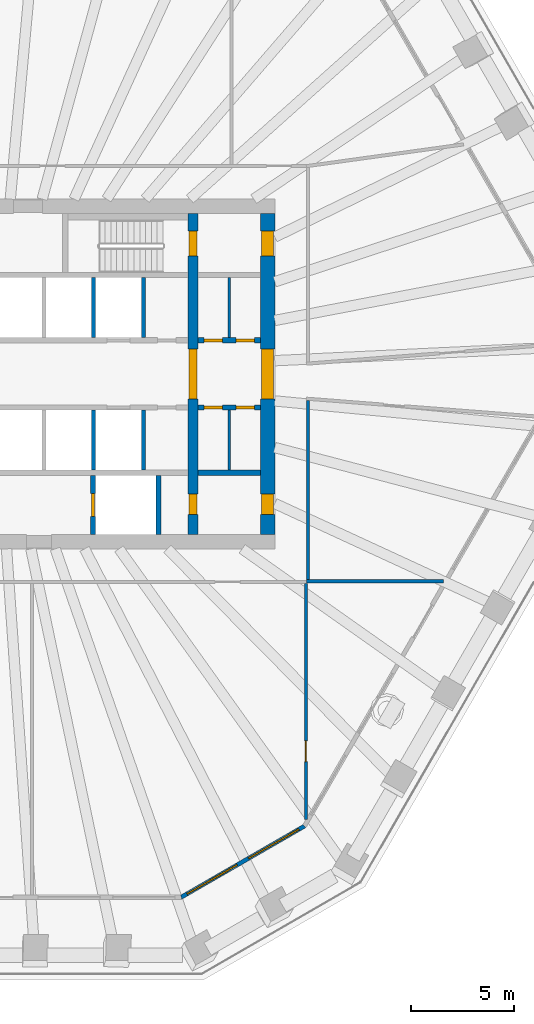
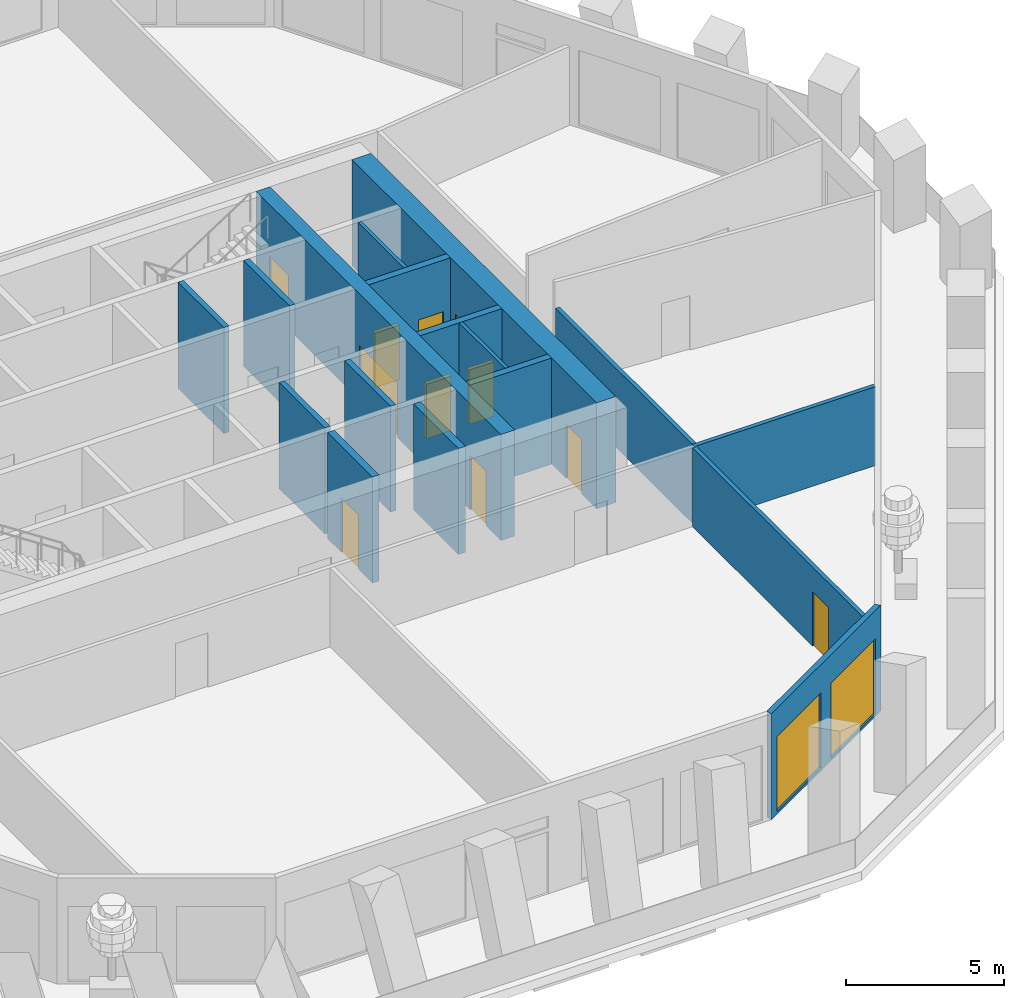
# One storey, part 5 of 11: 17 walls, 12 doors, 2 windows, 14 openings.
"""IFC4 building model written with IfcOpenShell, lengths in metres."""

from ifc_helpers import new_model, si_unit, direction, frame, frame_2d, origin, place, context, subcontext, project, spatial, polyline, rectangle, outline, extrude, material, layer, layer_set, type_object, element, fill, save


model = new_model("IFC4")

# Units and contexts
model_context = context("Model", 3, precision=1e-05, world=origin(), true_north=direction((0.0, 1.0)))
body_context = subcontext(model_context, "Body", "Model", "MODEL_VIEW")
ifc_project = project(units=[si_unit("LENGTHUNIT", "METRE"), si_unit("AREAUNIT", "SQUARE_METRE"), si_unit("VOLUMEUNIT", "CUBIC_METRE"), si_unit("PLANEANGLEUNIT", "RADIAN"), si_unit("MASSUNIT", "GRAM", prefix="KILO")], contexts=[model_context])

# Site, building, storey
site_placement = place(None, origin())
site = spatial("IfcSite", under=ifc_project, at=site_placement, CompositionType="ELEMENT")
building_placement = place(site_placement, origin())
building = spatial("IfcBuilding", under=site, at=building_placement, Name="Frailejon Research Tower", CompositionType="ELEMENT")
storey_placement = place(building_placement, frame((0.0, 0.0, 198.0)))
storey = spatial("IfcBuildingStorey", under=building, at=storey_placement, Name="L43", CompositionType="ELEMENT", Elevation=198.0)

# Walls
ifc_material_1 = material(Name="Plasterboard on steel studs", Category="steel")
ifc_layer_1 = layer(ifc_material_1, 0.125)
ifc_layer_set_1 = layer_set([ifc_layer_1], Name="Core partition 125")
wall_type_1 = type_object("IfcWallType", Name="Core partition 125", PredefinedType="PARTITIONING", material=ifc_layer_set_1)
for number, where, z_axis, x_axis, name in (
    (1, (11.35009765625, 1.75, 0.0), (0.0, 0.0, 1.0), (0.0, 1.0, 0.0), "Core partition"),
    (2, (11.35009765625, -4.64990234375, 0.0), (0.0, 0.0, 1.0), (0.0, 1.0, 0.0), "Core partition"),
):
    element("IfcWall", number, at=place(storey_placement, frame(where, z_axis=z_axis, x_axis=x_axis)), inside=storey, type_object=wall_type_1, Name=name, PredefinedType="PARTITIONING", context=body_context, shape_type="SweptSolid", body=[
        extrude(rectangle(XDim=2.89990234375, YDim=0.125, at=frame_2d((1.449951171875, 0.0))), origin(), (0.0, 0.0, 1.0), 4.10009765625),
    ])

# Wall, openings, doors
ifc_material_2 = material(Name="Concrete C60/75", Category="concrete")
ifc_layer_2 = layer(ifc_material_2, 0.5)
ifc_layer_set_2 = layer_set([ifc_layer_2], Name="Core shear wall 500 C60/75")
wall_type_2 = type_object("IfcWallType", Name="Core shear wall 500 C60/75", PredefinedType="SHEAR", material=ifc_layer_set_2)
wall_1_placement = place(storey_placement, frame((9.60009765625, -7.75, 0.0), z_axis=(0.0, 0.0, 1.0), x_axis=(0.0, 1.0, 0.0)))
wall_1 = element("IfcWall", 3, at=wall_1_placement, inside=storey, type_object=wall_type_2, Name="Core shear wall", PredefinedType="SHEAR", context=body_context, shape_type="SweptSolid", body=[
    extrude(rectangle(XDim=15.5, YDim=0.5, at=frame_2d((7.75, 0.0))), origin(), (0.0, 0.0, 1.0), 4.10009765625),
])
opening_1_placement = place(wall_1_placement, frame((6.550048828125, 0.0, 0.0)))
opening_1 = element("IfcOpeningElement", 4, at=opening_1_placement, cuts=wall_1, Name="Opening D2", PredefinedType="OPENING", context=body_context, shape_type="SweptSolid", body=[
    extrude(rectangle(XDim=2.39990234375, YDim=2.10009765625, at=frame_2d((1.199951171875, 1.050048828125))), frame((0.0, 0.260009765625, 0.0), z_axis=(0.0, -1.0, 0.0), x_axis=(1.0, 0.0, 0.0)), (0.0, 0.0, 1.0), 0.52001953125),
])
opening_2_placement = place(wall_1_placement, frame((13.449951171875, 0.0, 0.0)))
opening_2 = element("IfcOpeningElement", 5, at=opening_2_placement, cuts=wall_1, Name="Opening D1", PredefinedType="OPENING", context=body_context, shape_type="SweptSolid", body=[
    extrude(rectangle(XDim=1.199951171875, YDim=2.10009765625, at=frame_2d((0.60009765625, 1.050048828125))), frame((0.0, 0.260009765625, 0.0), z_axis=(0.0, -1.0, 0.0), x_axis=(1.0, 0.0, 0.0)), (0.0, 0.0, 1.0), 0.52001953125),
])
opening_3_placement = place(wall_1_placement, frame((0.949951171875, 0.0, 0.0)))
opening_3 = element("IfcOpeningElement", 6, at=opening_3_placement, cuts=wall_1, Name="Opening D4", PredefinedType="OPENING", context=body_context, shape_type="SweptSolid", body=[
    extrude(rectangle(XDim=1.0, YDim=2.10009765625, at=frame_2d((0.5, 1.050048828125))), frame((0.0, 0.260009765625, 0.0), z_axis=(0.0, -1.0, 0.0), x_axis=(1.0, 0.0, 0.0)), (0.0, 0.0, 1.0), 0.52001953125),
])
ifc_material_3 = material(Name="Steel", Category="steel")
door_type_1 = type_object("IfcDoorType", Name="Lobby double door", OperationType="DOUBLE_DOOR_SINGLE_SWING", PredefinedType="DOOR", material=ifc_material_3)
door_1_placement = place(opening_1_placement, origin())
door_1 = element("IfcDoor", 7, at=door_1_placement, inside=storey, type_object=door_type_1, Name="Lobby door", OperationType="DOUBLE_DOOR_SINGLE_SWING", OverallHeight=2.10009765625, OverallWidth=2.39990234375, PredefinedType="DOOR", context=body_context, shape_type="SweptSolid", body=[
    extrude(rectangle(XDim=2.39990234375, YDim=2.10009765625, at=frame_2d((1.199951171875, 1.050048828125))), frame((0.0, 0.199951171875, 0.0), z_axis=(0.0, -1.0, 0.0), x_axis=(1.0, 0.0, 0.0)), (0.0, 0.0, 1.0), 0.39990234375),
])
fill(opening_1, door_1)
ifc_material_4 = material(Name="Steel", Category="steel")
door_type_2 = type_object("IfcDoorType", Name="Service door", OperationType="SINGLE_SWING_LEFT", PredefinedType="DOOR", material=ifc_material_4)
door_2_placement = place(opening_3_placement, origin())
door_2 = element("IfcDoor", 8, at=door_2_placement, inside=storey, type_object=door_type_2, Name="Riser door", OperationType="SINGLE_SWING_RIGHT", OverallHeight=2.10009765625, OverallWidth=1.0, PredefinedType="DOOR", context=body_context, shape_type="SweptSolid", body=[
    extrude(rectangle(XDim=1.0, YDim=2.10009765625, at=frame_2d((0.5, 1.050048828125))), frame((0.0, 0.199951171875, 0.0), z_axis=(0.0, -1.0, 0.0), x_axis=(1.0, 0.0, 0.0)), (0.0, 0.0, 1.0), 0.39990234375),
])
fill(opening_3, door_2)
ifc_material_5 = material(Name="Steel", Category="steel")
door_type_3 = type_object("IfcDoorType", Name="Stair door", OperationType="SINGLE_SWING_LEFT", PredefinedType="DOOR", material=ifc_material_5)
door_3_placement = place(opening_2_placement, origin())
door_3 = element("IfcDoor", 9, at=door_3_placement, inside=storey, type_object=door_type_3, Name="Stair door ST3", OperationType="SINGLE_SWING_RIGHT", OverallHeight=2.10009765625, OverallWidth=1.199951171875, PredefinedType="DOOR", context=body_context, shape_type="SweptSolid", body=[
    extrude(rectangle(XDim=1.199951171875, YDim=2.10009765625, at=frame_2d((0.60009765625, 1.050048828125))), frame((0.0, 0.199951171875, 0.0), z_axis=(0.0, -1.0, 0.0), x_axis=(1.0, 0.0, 0.0)), (0.0, 0.0, 1.0), 0.39990234375),
])
fill(opening_2, door_3)

ifc_material_6 = material(Name="Concrete C60/75", Category="concrete")
ifc_layer_3 = layer(ifc_material_6, 0.699951171875)
ifc_layer_set_3 = layer_set([ifc_layer_3], Name="Core shear wall 700 C60/75")
wall_type_3 = type_object("IfcWallType", Name="Core shear wall 700 C60/75", PredefinedType="SHEAR", material=ifc_layer_set_3)
wall_2_placement = place(storey_placement, frame((13.199951171875, -7.75, 0.0), z_axis=(0.0, 0.0, 1.0), x_axis=(0.0, 1.0, 0.0)))
wall_2 = element("IfcWall", 10, at=wall_2_placement, inside=storey, type_object=wall_type_3, Name="Core shear wall", PredefinedType="SHEAR", context=body_context, shape_type="SweptSolid", body=[
    extrude(rectangle(XDim=15.5, YDim=0.699951171875, at=frame_2d((7.75, 0.0))), origin(), (0.0, 0.0, 1.0), 4.10009765625),
])
opening_4_placement = place(wall_2_placement, frame((6.550048828125, 0.0, 0.0)))
opening_4 = element("IfcOpeningElement", 11, at=opening_4_placement, cuts=wall_2, Name="Opening D2", PredefinedType="OPENING", context=body_context, shape_type="SweptSolid", body=[
    extrude(rectangle(XDim=2.39990234375, YDim=2.10009765625, at=frame_2d((1.199951171875, 1.050048828125))), frame((0.0, 0.35986328125, 0.0), z_axis=(0.0, -1.0, 0.0), x_axis=(1.0, 0.0, 0.0)), (0.0, 0.0, 1.0), 0.719970703125),
])
opening_5_placement = place(wall_2_placement, frame((13.449951171875, 0.0, 0.0)))
opening_5 = element("IfcOpeningElement", 12, at=opening_5_placement, cuts=wall_2, Name="Opening D7", PredefinedType="OPENING", context=body_context, shape_type="SweptSolid", body=[
    extrude(rectangle(XDim=1.199951171875, YDim=2.10009765625, at=frame_2d((0.60009765625, 1.050048828125))), frame((0.0, 0.35986328125, 0.0), z_axis=(0.0, -1.0, 0.0), x_axis=(1.0, 0.0, 0.0)), (0.0, 0.0, 1.0), 0.719970703125),
])
opening_6_placement = place(wall_2_placement, frame((0.949951171875, 0.0, 0.0)))
opening_6 = element("IfcOpeningElement", 13, at=opening_6_placement, cuts=wall_2, Name="Opening D4", PredefinedType="OPENING", context=body_context, shape_type="SweptSolid", body=[
    extrude(rectangle(XDim=1.0, YDim=2.10009765625, at=frame_2d((0.5, 1.050048828125))), frame((0.0, 0.35986328125, 0.0), z_axis=(0.0, -1.0, 0.0), x_axis=(1.0, 0.0, 0.0)), (0.0, 0.0, 1.0), 0.719970703125),
])
door_4_placement = place(opening_4_placement, origin())
door_4 = element("IfcDoor", 14, at=door_4_placement, inside=storey, type_object=door_type_1, Name="Lobby door", OperationType="DOUBLE_DOOR_SINGLE_SWING", OverallHeight=2.10009765625, OverallWidth=2.39990234375, PredefinedType="DOOR", context=body_context, shape_type="SweptSolid", body=[
    extrude(rectangle(XDim=2.39990234375, YDim=2.10009765625, at=frame_2d((1.199951171875, 1.050048828125))), frame((0.0, 0.300048828125, 0.0), z_axis=(0.0, -1.0, 0.0), x_axis=(1.0, 0.0, 0.0)), (0.0, 0.0, 1.0), 0.60009765625),
])
fill(opening_4, door_4)
door_5_placement = place(opening_6_placement, origin())
door_5 = element("IfcDoor", 15, at=door_5_placement, inside=storey, type_object=door_type_2, Name="Store door", OperationType="SINGLE_SWING_LEFT", OverallHeight=2.10009765625, OverallWidth=1.0, PredefinedType="DOOR", context=body_context, shape_type="SweptSolid", body=[
    extrude(rectangle(XDim=1.0, YDim=2.10009765625, at=frame_2d((0.5, 1.050048828125))), frame((0.0, 0.300048828125, 0.0), z_axis=(0.0, -1.0, 0.0), x_axis=(1.0, 0.0, 0.0)), (0.0, 0.0, 1.0), 0.60009765625),
])
fill(opening_6, door_5)
ifc_material_7 = material(Name="Steel", Category="steel")
door_type_4 = type_object("IfcDoorType", Name="Stair exit door", OperationType="SINGLE_SWING_LEFT", PredefinedType="DOOR", material=ifc_material_7)
door_6_placement = place(opening_5_placement, origin())
door_6 = element("IfcDoor", 16, at=door_6_placement, inside=storey, type_object=door_type_4, Name="Stair exit door ST3", OperationType="SINGLE_SWING_LEFT", OverallHeight=2.10009765625, OverallWidth=1.199951171875, PredefinedType="DOOR", context=body_context, shape_type="SweptSolid", body=[
    extrude(rectangle(XDim=1.199951171875, YDim=2.10009765625, at=frame_2d((0.60009765625, 1.050048828125))), frame((0.0, 0.300048828125, 0.0), z_axis=(0.0, -1.0, 0.0), x_axis=(1.0, 0.0, 0.0)), (0.0, 0.0, 1.0), 0.60009765625),
])
fill(opening_5, door_6)

# Walls
ifc_material_8 = material(Name="Gypsum board and masonry partition", Category="masonry")
ifc_layer_4 = layer(ifc_material_8, 0.14990234375)
ifc_layer_set_4 = layer_set([ifc_layer_4], Name="Corridor wall EI 60, gypsum on steel studs 150")
wall_type_4 = type_object("IfcWallType", Name="Corridor wall EI 60, gypsum on steel studs 150", PredefinedType="PARTITIONING", material=ifc_layer_set_4)
wall_3_placement = place(storey_placement, frame((15.14990234375, -9.94140625, 0.0), z_axis=(0.0, 0.0, 1.0), x_axis=(0.0, 1.0, 0.0)))
element("IfcWall", 17, at=wall_3_placement, inside=storey, type_object=wall_type_4, Name="T:IW:L43:001", PredefinedType="PARTITIONING", context=body_context, shape_type="SweptSolid", body=[
    extrude(rectangle(XDim=8.6669921875, YDim=0.14990234375, at=frame_2d((4.33349609375, 0.0))), origin(), (0.0, 0.0, 1.0), 3.050048828125),
])
ifc_material_9 = material(Name="Gypsum board and masonry partition", Category="masonry")
ifc_layer_5 = layer(ifc_material_9, 0.14990234375)
ifc_layer_set_5 = layer_set([ifc_layer_5], Name="Laboratory partition, blockwork 150")
wall_type_5 = type_object("IfcWallType", Name="Laboratory partition, blockwork 150", PredefinedType="PARTITIONING", material=ifc_layer_set_5)
wall_4_placement = place(storey_placement, frame((15.074951171875, -10.016357421875, 0.0), z_axis=(0.0, 0.0, 1.0), x_axis=(1.0, 0.0, 0.0)))
element("IfcWall", 18, at=wall_4_placement, inside=storey, type_object=wall_type_5, Name="T:IW:L43:017", PredefinedType="PARTITIONING", context=body_context, shape_type="SweptSolid", body=[
    extrude(rectangle(XDim=6.6240234375, YDim=0.14990234375, at=frame_2d((3.31201171875, 0.0))), origin(), (0.0, 0.0, 1.0), 3.050048828125),
])

# Wall, opening, door
wall_5_placement = place(storey_placement, frame((15.05810546875, -21.518798828125, 0.0), z_axis=(0.0, 0.0, 1.0), x_axis=(0.0, 1.0, 0.0)))
wall_5 = element("IfcWall", 19, at=wall_5_placement, inside=storey, type_object=wall_type_5, Name="T:IW:L43:020", PredefinedType="PARTITIONING", context=body_context, shape_type="SweptSolid", body=[
    extrude(rectangle(XDim=11.393798828125, YDim=0.14990234375, at=frame_2d((5.69677734375, 0.0))), origin(), (0.0, 0.0, 1.0), 3.050048828125),
])
opening_7_placement = place(wall_5_placement, frame((2.792236328125, 0.0, 0.0)))
opening_7 = element("IfcOpeningElement", 20, at=opening_7_placement, cuts=wall_5, Name="Opening D1933", PredefinedType="OPENING", context=body_context, shape_type="SweptSolid", body=[
    extrude(rectangle(XDim=1.0, YDim=2.10009765625, at=frame_2d((0.5, 1.050048828125))), frame((0.0, 0.0849609375, 0.0), z_axis=(0.0, -1.0, 0.0), x_axis=(1.0, 0.0, 0.0)), (0.0, 0.0, 1.0), 0.169921875),
])
ifc_material_10 = material(Name="Timber door leaf", Category="wood")
door_type_5 = type_object("IfcDoorType", Name="Door laboratory, timber, vision panel 1000", OperationType="NOTDEFINED", PredefinedType="DOOR", material=ifc_material_10)
door_7_placement = place(opening_7_placement, origin())
door_7 = element("IfcDoor", 21, at=door_7_placement, inside=storey, type_object=door_type_5, Name="D1933", OperationType="SINGLE_SWING_RIGHT", OverallHeight=2.10009765625, OverallWidth=1.0, PredefinedType="DOOR", context=body_context, shape_type="SweptSolid", body=[
    extrude(rectangle(XDim=1.0, YDim=2.10009765625, at=frame_2d((0.5, 1.050048828125))), frame((0.0, 0.02490234375, 0.0), z_axis=(0.0, -1.0, 0.0), x_axis=(1.0, 0.0, 0.0)), (0.0, 0.0, 1.0), 0.050048828125),
])
fill(opening_7, door_7)

# Walls
ifc_material_11 = material(Name="Concrete C60/75", Category="concrete")
ifc_layer_6 = layer(ifc_material_11, 0.199951171875)
ifc_layer_set_6 = layer_set([ifc_layer_6], Name="Shaft wall 200 C60/75")
wall_type_6 = type_object("IfcWallType", Name="Shaft wall 200 C60/75", PredefinedType="SOLIDWALL", material=ifc_layer_set_6)
for number, where, z_axis, x_axis, name in (
    (22, (4.800048828125, 1.75, 0.0), (0.0, 0.0, 1.0), (0.0, 1.0, 0.0), "Shaft wall"),
    (23, (7.199951171875, 1.75, 0.0), (0.0, 0.0, 1.0), (0.0, 1.0, 0.0), "Shaft wall"),
    (24, (4.800048828125, -4.64990234375, 0.0), (0.0, 0.0, 1.0), (0.0, 1.0, 0.0), "Shaft wall"),
    (25, (7.199951171875, -4.64990234375, 0.0), (0.0, 0.0, 1.0), (0.0, 1.0, 0.0), "Shaft wall"),
):
    element("IfcWall", number, at=place(storey_placement, frame(where, z_axis=z_axis, x_axis=x_axis)), inside=storey, type_object=wall_type_6, Name=name, PredefinedType="SOLIDWALL", context=body_context, shape_type="SweptSolid", body=[
        extrude(rectangle(XDim=2.89990234375, YDim=0.199951171875, at=frame_2d((1.449951171875, 0.0))), origin(), (0.0, 0.0, 1.0), 4.10009765625),
    ])

# Wall, openings, doors
ifc_material_12 = material(Name="Concrete C60/75", Category="concrete")
ifc_layer_7 = layer(ifc_material_12, 0.25)
ifc_layer_set_7 = layer_set([ifc_layer_7], Name="Shaft wall 250 C60/75")
wall_type_7 = type_object("IfcWallType", Name="Shaft wall 250 C60/75", PredefinedType="SOLIDWALL", material=ifc_layer_set_7)
wall_6_placement = place(storey_placement, frame((9.85009765625, 1.625, 0.0), z_axis=(0.0, 0.0, 1.0), x_axis=(1.0, 0.0, 0.0)))
wall_6 = element("IfcWall", 26, at=wall_6_placement, inside=storey, type_object=wall_type_7, Name="Shaft wall", PredefinedType="SOLIDWALL", context=body_context, shape_type="SweptSolid", body=[
    extrude(rectangle(XDim=3.0, YDim=0.25, at=frame_2d((1.5, 0.0))), origin(), (0.0, 0.0, 1.0), 4.10009765625),
])
opening_8_placement = place(wall_6_placement, frame((0.268798828125, 0.0, 0.0)))
opening_8 = element("IfcOpeningElement", 27, at=opening_8_placement, cuts=wall_6, Name="Opening D8", PredefinedType="OPENING", context=body_context, shape_type="SweptSolid", body=[
    extrude(rectangle(XDim=0.89990234375, YDim=2.10009765625, at=frame_2d((0.449951171875, 1.050048828125))), frame((0.0, 0.135009765625, 0.0), z_axis=(0.0, -1.0, 0.0), x_axis=(1.0, 0.0, 0.0)), (0.0, 0.0, 1.0), 0.27001953125),
])
opening_9_placement = place(wall_6_placement, frame((1.831298828125, 0.0, 0.0)))
opening_9 = element("IfcOpeningElement", 28, at=opening_9_placement, cuts=wall_6, Name="Opening D8", PredefinedType="OPENING", context=body_context, shape_type="SweptSolid", body=[
    extrude(rectangle(XDim=0.89990234375, YDim=2.10009765625, at=frame_2d((0.449951171875, 1.050048828125))), frame((0.0, 0.135009765625, 0.0), z_axis=(0.0, -1.0, 0.0), x_axis=(1.0, 0.0, 0.0)), (0.0, 0.0, 1.0), 0.27001953125),
])
ifc_material_13 = material(Name="Steel", Category="steel")
door_type_6 = type_object("IfcDoorType", Name="Core room door", OperationType="SINGLE_SWING_LEFT", PredefinedType="DOOR", material=ifc_material_13)
door_8_placement = place(opening_8_placement, origin())
door_8 = element("IfcDoor", 29, at=door_8_placement, inside=storey, type_object=door_type_6, Name="Room door", OperationType="SINGLE_SWING_RIGHT", OverallHeight=2.10009765625, OverallWidth=0.89990234375, PredefinedType="DOOR", context=body_context, shape_type="SweptSolid", body=[
    extrude(rectangle(XDim=0.89990234375, YDim=2.10009765625, at=frame_2d((0.449951171875, 1.050048828125))), frame((0.0, 0.074951171875, 0.0), z_axis=(0.0, -1.0, 0.0), x_axis=(1.0, 0.0, 0.0)), (0.0, 0.0, 1.0), 0.14990234375),
])
fill(opening_8, door_8)
door_9_placement = place(opening_9_placement, origin())
door_9 = element("IfcDoor", 30, at=door_9_placement, inside=storey, type_object=door_type_6, Name="Room door", OperationType="SINGLE_SWING_LEFT", OverallHeight=2.10009765625, OverallWidth=0.89990234375, PredefinedType="DOOR", context=body_context, shape_type="SweptSolid", body=[
    extrude(rectangle(XDim=0.89990234375, YDim=2.10009765625, at=frame_2d((0.449951171875, 1.050048828125))), frame((0.0, 0.074951171875, 0.0), z_axis=(0.0, -1.0, 0.0), x_axis=(1.0, 0.0, 0.0)), (0.0, 0.0, 1.0), 0.14990234375),
])
fill(opening_9, door_9)

wall_7_placement = place(storey_placement, frame((9.85009765625, -1.625, 0.0), z_axis=(0.0, 0.0, 1.0), x_axis=(1.0, 0.0, 0.0)))
wall_7 = element("IfcWall", 31, at=wall_7_placement, inside=storey, type_object=wall_type_7, Name="Shaft wall", PredefinedType="SOLIDWALL", context=body_context, shape_type="SweptSolid", body=[
    extrude(rectangle(XDim=3.0, YDim=0.25, at=frame_2d((1.5, 0.0))), origin(), (0.0, 0.0, 1.0), 4.10009765625),
])
opening_10_placement = place(wall_7_placement, frame((0.268798828125, 0.0, 0.0)))
opening_10 = element("IfcOpeningElement", 32, at=opening_10_placement, cuts=wall_7, Name="Opening D8", PredefinedType="OPENING", context=body_context, shape_type="SweptSolid", body=[
    extrude(rectangle(XDim=0.89990234375, YDim=2.10009765625, at=frame_2d((0.449951171875, 1.050048828125))), frame((0.0, 0.135009765625, 0.0), z_axis=(0.0, -1.0, 0.0), x_axis=(1.0, 0.0, 0.0)), (0.0, 0.0, 1.0), 0.27001953125),
])
opening_11_placement = place(wall_7_placement, frame((1.831298828125, 0.0, 0.0)))
opening_11 = element("IfcOpeningElement", 33, at=opening_11_placement, cuts=wall_7, Name="Opening D8", PredefinedType="OPENING", context=body_context, shape_type="SweptSolid", body=[
    extrude(rectangle(XDim=0.89990234375, YDim=2.10009765625, at=frame_2d((0.449951171875, 1.050048828125))), frame((0.0, 0.135009765625, 0.0), z_axis=(0.0, -1.0, 0.0), x_axis=(1.0, 0.0, 0.0)), (0.0, 0.0, 1.0), 0.27001953125),
])
door_10_placement = place(opening_10_placement, origin())
door_10 = element("IfcDoor", 34, at=door_10_placement, inside=storey, type_object=door_type_6, Name="Room door", OperationType="SINGLE_SWING_RIGHT", OverallHeight=2.10009765625, OverallWidth=0.89990234375, PredefinedType="DOOR", context=body_context, shape_type="SweptSolid", body=[
    extrude(rectangle(XDim=0.89990234375, YDim=2.10009765625, at=frame_2d((0.449951171875, 1.050048828125))), frame((0.0, 0.074951171875, 0.0), z_axis=(0.0, -1.0, 0.0), x_axis=(1.0, 0.0, 0.0)), (0.0, 0.0, 1.0), 0.14990234375),
])
fill(opening_10, door_10)
door_11_placement = place(opening_11_placement, origin())
door_11 = element("IfcDoor", 35, at=door_11_placement, inside=storey, type_object=door_type_6, Name="Room door", OperationType="SINGLE_SWING_LEFT", OverallHeight=2.10009765625, OverallWidth=0.89990234375, PredefinedType="DOOR", context=body_context, shape_type="SweptSolid", body=[
    extrude(rectangle(XDim=0.89990234375, YDim=2.10009765625, at=frame_2d((0.449951171875, 1.050048828125))), frame((0.0, 0.074951171875, 0.0), z_axis=(0.0, -1.0, 0.0), x_axis=(1.0, 0.0, 0.0)), (0.0, 0.0, 1.0), 0.14990234375),
])
fill(opening_11, door_11)

# Wall
wall_8_placement = place(storey_placement, frame((9.85009765625, -4.77490234375, 0.0), z_axis=(0.0, 0.0, 1.0), x_axis=(1.0, 0.0, 0.0)))
element("IfcWall", 36, at=wall_8_placement, inside=storey, type_object=wall_type_7, Name="Shaft wall", PredefinedType="SOLIDWALL", context=body_context, shape_type="SweptSolid", body=[
    extrude(rectangle(XDim=3.0, YDim=0.25, at=frame_2d((1.5, 0.0))), origin(), (0.0, 0.0, 1.0), 4.10009765625),
])

# Wall, opening, door
wall_9_placement = place(storey_placement, frame((4.77490234375, -7.75, 0.0), z_axis=(0.0, 0.0, 1.0), x_axis=(0.0, 1.0, 0.0)))
wall_9 = element("IfcWall", 37, at=wall_9_placement, inside=storey, type_object=wall_type_7, Name="Shaft wall", PredefinedType="SOLIDWALL", context=body_context, shape_type="SweptSolid", body=[
    extrude(rectangle(XDim=2.85009765625, YDim=0.25, at=frame_2d((1.425048828125, 0.0))), origin(), (0.0, 0.0, 1.0), 4.10009765625),
])
opening_12_placement = place(wall_9_placement, frame((0.875, 0.0, 0.0)))
opening_12 = element("IfcOpeningElement", 38, at=opening_12_placement, cuts=wall_9, Name="Opening LD", PredefinedType="OPENING", context=body_context, shape_type="SweptSolid", body=[
    extrude(rectangle(XDim=1.10009765625, YDim=2.10009765625, at=frame_2d((0.550048828125, 1.050048828125))), frame((0.0, 0.135009765625, 0.0), z_axis=(0.0, -1.0, 0.0), x_axis=(1.0, 0.0, 0.0)), (0.0, 0.0, 1.0), 0.27001953125),
])
ifc_material_14 = material(Name="Steel", Category="steel")
door_type_7 = type_object("IfcDoorType", Name="Lift landing door", OperationType="DOUBLE_DOOR_SLIDING", PredefinedType="DOOR", material=ifc_material_14)
door_12_placement = place(opening_12_placement, origin())
door_12 = element("IfcDoor", 39, at=door_12_placement, inside=storey, type_object=door_type_7, Name="Lift landing door", OperationType="DOUBLE_DOOR_SLIDING", OverallHeight=2.10009765625, OverallWidth=1.10009765625, PredefinedType="DOOR", context=body_context, shape_type="SweptSolid", body=[
    extrude(rectangle(XDim=1.10009765625, YDim=2.10009765625, at=frame_2d((0.550048828125, 1.050048828125))), frame((0.0, 0.074951171875, 0.0), z_axis=(0.0, -1.0, 0.0), x_axis=(1.0, 0.0, 0.0)), (0.0, 0.0, 1.0), 0.14990234375),
])
fill(opening_12, door_12)

# Wall
wall_10_placement = place(storey_placement, frame((7.925048828125, -7.75, 0.0), z_axis=(0.0, 0.0, 1.0), x_axis=(0.0, 1.0, 0.0)))
element("IfcWall", 40, at=wall_10_placement, inside=storey, type_object=wall_type_7, Name="Shaft wall", PredefinedType="SOLIDWALL", context=body_context, shape_type="SweptSolid", body=[
    extrude(rectangle(XDim=2.85009765625, YDim=0.25, at=frame_2d((1.425048828125, 0.0))), origin(), (0.0, 0.0, 1.0), 4.10009765625),
])

# Wall, openings, windows
ifc_material_15 = material(Name="Concrete C40/50 precast window wall panel", Category="concrete")
ifc_layer_8 = layer(ifc_material_15, 0.199951171875)
ifc_layer_set_8 = layer_set([ifc_layer_8], Name="Window wall 200")
wall_type_8 = type_object("IfcWallType", Name="Window wall 200", PredefinedType="SOLIDWALL", material=ifc_layer_set_8)
wall_11_placement = place(storey_placement, frame((9.03125, -25.28271484375, 0.0), z_axis=(0.0, 0.0, 1.0), x_axis=(0.866029458321, 0.49999297727, 0.0)))
wall_11 = element("IfcWall", 41, at=wall_11_placement, inside=storey, type_object=wall_type_8, Name="Exterior wall L43", PredefinedType="SOLIDWALL", context=body_context, shape_type="SweptSolid", body=[
    extrude(outline(polyline([(-0.02685546875, -0.10009765625), (1.1279296875, -0.10009765625), (2.282470703125, -0.10009765625), (3.437255859375, -0.10009765625), (4.592041015625, -0.10009765625), (5.74658203125, -0.10009765625), (6.9013671875, -0.10009765625), (6.84765625, 0.10009765625), (5.7109375, 0.10009765625), (4.573974609375, 0.10009765625), (3.437255859375, 0.10009765625), (2.300537109375, 0.10009765625), (1.16357421875, 0.10009765625), (0.02685546875, 0.10009765625), (-0.02685546875, -0.10009765625)])), origin(), (0.0, 0.0, 1.0), 4.10009765625),
])
opening_13_placement = place(wall_11_placement, frame((0.318603515625, 0.0, 0.10009765625)))
opening_13 = element("IfcOpeningElement", 42, at=opening_13_placement, cuts=wall_11, Name="Opening W3", PredefinedType="OPENING", context=body_context, shape_type="SweptSolid", body=[
    extrude(rectangle(XDim=2.800048828125, YDim=2.89990234375, at=frame_2d((1.39990234375, 1.449951171875))), frame((0.0, 0.10986328125, 0.0), z_axis=(0.0, -1.0, 0.0), x_axis=(1.0, 0.0, 0.0)), (0.0, 0.0, 1.0), 0.219970703125),
])
opening_14_placement = place(wall_11_placement, frame((3.756103515625, 0.0, 0.10009765625)))
opening_14 = element("IfcOpeningElement", 43, at=opening_14_placement, cuts=wall_11, Name="Opening W3", PredefinedType="OPENING", context=body_context, shape_type="SweptSolid", body=[
    extrude(rectangle(XDim=2.800048828125, YDim=2.89990234375, at=frame_2d((1.39990234375, 1.449951171875))), frame((0.0, 0.10986328125, 0.0), z_axis=(0.0, -1.0, 0.0), x_axis=(1.0, 0.0, 0.0)), (0.0, 0.0, 1.0), 0.219970703125),
])
ifc_material_16 = material(Name="Aluminium framed double glazing", Category="aluminium")
window_type = type_object("IfcWindowType", Name="Window 2800x2900", PartitioningType="SINGLE_PANEL", PredefinedType="WINDOW", material=ifc_material_16)
window_1_placement = place(opening_13_placement, origin())
window_1 = element("IfcWindow", 44, at=window_1_placement, inside=storey, type_object=window_type, Name="Window L43", OverallHeight=2.89990234375, OverallWidth=2.800048828125, PartitioningType="SINGLE_PANEL", PredefinedType="WINDOW", context=body_context, shape_type="SweptSolid", body=[
    extrude(rectangle(XDim=2.800048828125, YDim=2.89990234375, at=frame_2d((1.39990234375, 1.449951171875))), frame((0.0, 0.030029296875, 0.0), z_axis=(0.0, -1.0, 0.0), x_axis=(1.0, 0.0, 0.0)), (0.0, 0.0, 1.0), 0.06005859375),
])
fill(opening_13, window_1)
window_2_placement = place(opening_14_placement, origin())
window_2 = element("IfcWindow", 45, at=window_2_placement, inside=storey, type_object=window_type, Name="Window L43", OverallHeight=2.89990234375, OverallWidth=2.800048828125, PartitioningType="SINGLE_PANEL", PredefinedType="WINDOW", context=body_context, shape_type="SweptSolid", body=[
    extrude(rectangle(XDim=2.800048828125, YDim=2.89990234375, at=frame_2d((1.39990234375, 1.449951171875))), frame((0.0, 0.030029296875, 0.0), z_axis=(0.0, -1.0, 0.0), x_axis=(1.0, 0.0, 0.0)), (0.0, 0.0, 1.0), 0.06005859375),
])
fill(opening_14, window_2)

save(model, "model.ifc")
